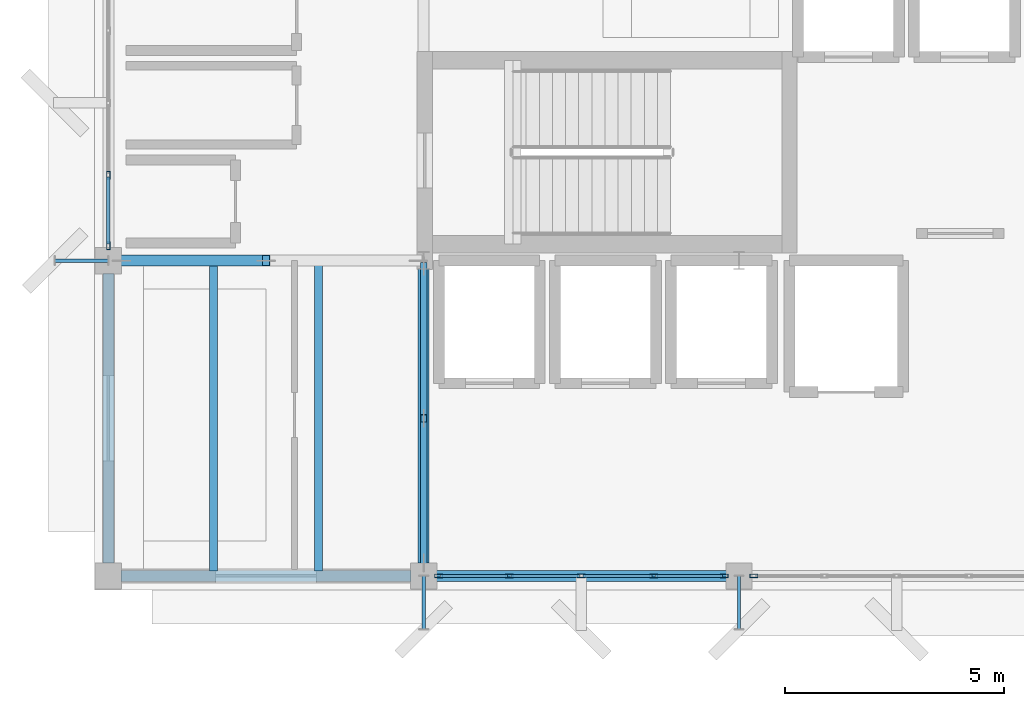
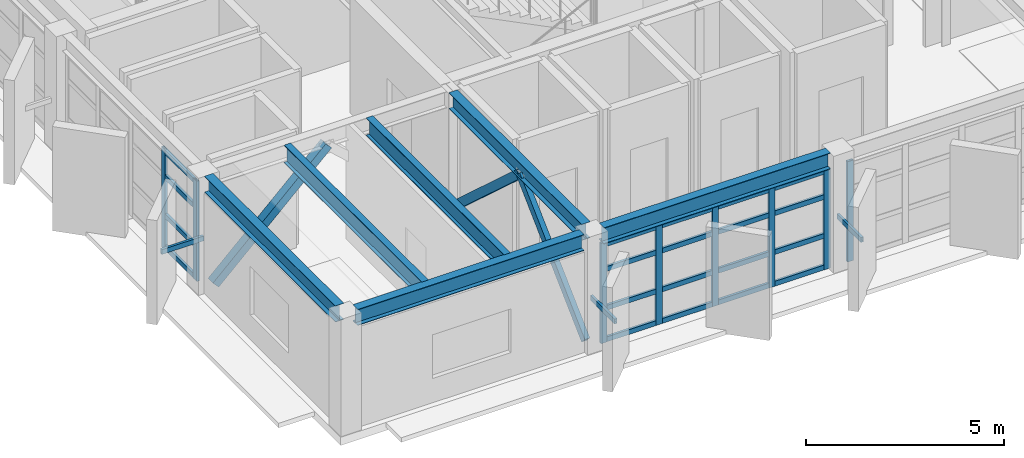
# One storey, part 3 of 19: 34 members, 6 beams, 3 elements without a shape of their own.
"""IFC4 building model written with IfcOpenShell, lengths in metres."""

import ifcopenshell
import ifcopenshell.guid

model = None  # the IFC model being written
_history = None  # IfcOwnerHistory: only IFC2X3 demands one
_inside = {}  # id of a spatial element -> (the spatial element, [elements in it])
_under = {}  # id of a project, library or spatial element -> (it, [spatial elements below it])
_declared = {}  # id of a project -> (the project, [libraries it declares])
_typed = {}  # id of a type object -> (the type object, [elements of that type])
_made_of = {}  # id of a material, layer set ... -> (it, [elements and type objects made of it])


def new_model(schema):
    """Start an empty IFC model of exactly this schema.

    Asked for "IFC4X3", IfcOpenShell would pick the latest addendum, in which some entities
    have other attributes; the version numbers below select the first issue.
    IFC2X3 requires an IfcOwnerHistory on every rooted entity: one is made here for all.
    """
    global model, _history
    if schema == "IFC4X3":
        model = ifcopenshell.file(schema_version=(4, 3, 0, 0))
    else:
        model = ifcopenshell.file(schema=schema)
    _inside.clear()
    _under.clear()
    _declared.clear()
    _typed.clear()
    _made_of.clear()
    _history = None
    if model.schema == "IFC2X3":
        org = make("IfcOrganization", Name="unknown")
        user = make(
            "IfcPersonAndOrganization",
            ThePerson=make("IfcPerson", FamilyName="unknown"),
            TheOrganization=org,
        )
        app = make(
            "IfcApplication",
            ApplicationDeveloper=org,
            Version="unknown",
            ApplicationFullName="unknown",
            ApplicationIdentifier="unknown",
        )
        _history = make(
            "IfcOwnerHistory",
            OwningUser=user,
            OwningApplication=app,
            ChangeAction="ADDED",
            CreationDate=0,
        )
    return model


def make(cls, **values):
    """One entity of the class cls with the attributes given. An attribute that is None is left unset."""
    return model.create_entity(
        cls, **{name: value for name, value in values.items() if value is not None}
    )


def rooted(cls, **values):
    """An entity with a GlobalId (a new one), such as an element, a storey or a relation."""
    return make(cls, GlobalId=ifcopenshell.guid.new(), OwnerHistory=_history, **values)


def si_unit(unit_type, name, prefix=None):
    """IfcSIUnit, for example si_unit("LENGTHUNIT", "METRE", prefix="MILLI")."""
    return make("IfcSIUnit", UnitType=unit_type, Prefix=prefix, Name=name)


def assignment(units):
    """IfcUnitAssignment: the units of a project."""
    return None if units is None else make("IfcUnitAssignment", Units=units)


def point(xyz):
    """IfcCartesianPoint."""
    return None if xyz is None else make("IfcCartesianPoint", Coordinates=xyz)


def direction(xyz):
    """IfcDirection."""
    return None if xyz is None else make("IfcDirection", DirectionRatios=xyz)


def frame(location, z_axis=None, x_axis=None):
    """IfcAxis2Placement3D, a coordinate frame: its origin and axes. An axis left out is left unset."""
    return make(
        "IfcAxis2Placement3D",
        Location=point(location),
        Axis=direction(z_axis),
        RefDirection=direction(x_axis),
    )


def frame_2d(location, x_axis=None):
    """IfcAxis2Placement2D, a coordinate frame in the plane: its origin and x axis."""
    return make(
        "IfcAxis2Placement2D", Location=point(location), RefDirection=direction(x_axis)
    )


def origin():
    """The frame at (0, 0, 0) with its axes left unset."""
    return frame((0.0, 0.0, 0.0))


def origin_2d():
    """The frame at (0, 0) in the plane with its x axis left unset."""
    return frame_2d((0.0, 0.0))


def place(relative_to, where):
    """IfcLocalPlacement: puts the frame where relative to a parent placement (None: the world)."""
    return make(
        "IfcLocalPlacement", PlacementRelTo=relative_to, RelativePlacement=where
    )


def context(
    kind, dimensions, precision=None, world=None, true_north=None, identifier=None
):
    """IfcGeometricRepresentationContext, for example the 3D "Model" context."""
    return make(
        "IfcGeometricRepresentationContext",
        ContextIdentifier=identifier,
        ContextType=kind,
        CoordinateSpaceDimension=dimensions,
        Precision=precision,
        WorldCoordinateSystem=world,
        TrueNorth=true_north,
    )


def subcontext(parent, identifier, kind, view, scale=None):
    """IfcGeometricRepresentationSubContext, for example "Body" below "Model"."""
    return make(
        "IfcGeometricRepresentationSubContext",
        ContextIdentifier=identifier,
        ContextType=kind,
        ParentContext=parent,
        TargetScale=scale,
        TargetView=view,
    )


def project(units=None, contexts=None):
    """IfcProject with its units and contexts."""
    return rooted(
        "IfcProject",
        Name="project",
        RepresentationContexts=contexts,
        UnitsInContext=assignment(units),
    )


def spatial(cls, under=None, at=None, **own):
    """A site, building, storey or space (cls), placed at a placement, below another one or the project."""
    s = rooted(cls, ObjectPlacement=at, **own)
    if under is not None:
        _under.setdefault(under.id(), (under, []))[1].append(s)
    return s


def profile(cls, at=None, kind="AREA", **sizes):
    """A parametric profile (cls). Its sizes go by their IFC names, for example OverallWidth=200.0."""
    return make(cls, ProfileType=kind, Position=at, **sizes)


def hollow_rectangle(**sizes):
    """IfcRectangleHollowProfileDef."""
    return profile("IfcRectangleHollowProfileDef", **sizes)


def i_section(**sizes):
    """IfcIShapeProfileDef."""
    return profile("IfcIShapeProfileDef", **sizes)


def extrude(swept, where, along, depth):
    """IfcExtrudedAreaSolid: the profile swept, set in the frame where, extruded along a direction by depth."""
    return make(
        "IfcExtrudedAreaSolid",
        SweptArea=swept,
        Position=where,
        ExtrudedDirection=direction(along),
        Depth=depth,
    )


def shape(context_of_items, identifier, shape_type, items):
    """IfcShapeRepresentation: the items that make up one representation, for example the "Body"."""
    return make(
        "IfcShapeRepresentation",
        ContextOfItems=context_of_items,
        RepresentationIdentifier=identifier,
        RepresentationType=shape_type,
        Items=items,
    )


def material(Name=None, Category=None):
    """IfcMaterial."""
    return make("IfcMaterial", Name=Name, Category=Category)


def layer(
    of_material, thickness, ventilated=None, Name=None, Category=None, Priority=None
):
    """IfcMaterialLayer: one layer of a wall or slab, of a material (None: an air gap)."""
    return make(
        "IfcMaterialLayer",
        Material=of_material,
        LayerThickness=thickness,
        IsVentilated=ventilated,
        Name=Name,
        Category=Category,
        Priority=Priority,
    )


def layer_set(layers, Name=None):
    """IfcMaterialLayerSet."""
    return make("IfcMaterialLayerSet", MaterialLayers=layers, LayerSetName=Name)


def material_profile(
    of_material, cross_section, Name=None, Category=None, Priority=None
):
    """IfcMaterialProfile: a cross section and its material."""
    return make(
        "IfcMaterialProfile",
        Name=Name,
        Material=of_material,
        Profile=cross_section,
        Priority=Priority,
        Category=Category,
    )


def profile_set(profiles, Name=None, composite=None):
    """IfcMaterialProfileSet."""
    return make(
        "IfcMaterialProfileSet",
        Name=Name,
        MaterialProfiles=profiles,
        CompositeProfile=composite,
    )


def made_of(thing, what):
    """Note that an element or type object is made of a material, layer set ...; save() writes the relation."""
    if what is not None:
        _made_of.setdefault(what.id(), (what, []))[1].append(thing)
    return thing


def type_object(cls, material=None, **own):
    """A type object (cls), such as IfcWallType, which elements share."""
    return made_of(rooted(cls, **own), material)


def element(
    cls,
    number,
    at=None,
    inside=None,
    cuts=None,
    type_object=None,
    material=None,
    context=None,
    identifier="Body",
    shape_type=None,
    held_by="IfcProductDefinitionShape",
    body=None,
    shapes=None,
    **own,
):
    """One element of the class cls, such as IfcWall. Its Tag is "e" and its number.

    at: its placement. inside: the storey or other place that contains it. cuts: it is an
    opening in that element (IfcRelVoidsElement). A single representation is given by context,
    identifier, shape_type and body (its items); several are given by shapes. held_by: the class
    of the entity that holds the representations. save() writes the other relations.
    """
    e = rooted(cls, Tag="e%d" % number, ObjectPlacement=at, **own)
    if body is not None:
        shapes = [shape(context, identifier, shape_type, body)]
    if shapes is not None:
        e.Representation = make(held_by, Representations=shapes)
    if inside is not None:
        _inside.setdefault(inside.id(), (inside, []))[1].append(e)
    if cuts is not None:
        rooted(
            "IfcRelVoidsElement", RelatingBuildingElement=cuts, RelatedOpeningElement=e
        )
    if type_object is not None:
        _typed.setdefault(type_object.id(), (type_object, []))[1].append(e)
    return made_of(e, material)


def aggregate(whole, parts):
    """IfcRelAggregates: a whole, such as a stair, and the parts it consists of."""
    return rooted("IfcRelAggregates", RelatingObject=whole, RelatedObjects=parts)


def save(model, path):
    """Write the relations noted so far, then the file.

    IfcRelAggregates (storeys below a building ...), IfcRelContainedInSpatialStructure (elements
    in a storey), IfcRelDefinesByType, IfcRelAssociatesMaterial and IfcRelDeclares: one each for
    every whole, place, type object, material and project.
    """
    for whole, parts in _under.values():
        aggregate(whole, parts)
    for where, things in _inside.values():
        rooted(
            "IfcRelContainedInSpatialStructure",
            RelatedElements=things,
            RelatingStructure=where,
        )
    for kind, things in _typed.values():
        rooted("IfcRelDefinesByType", RelatedObjects=things, RelatingType=kind)
    for what, things in _made_of.values():
        rooted("IfcRelAssociatesMaterial", RelatedObjects=things, RelatingMaterial=what)
    for by, libraries in _declared.values():
        rooted("IfcRelDeclares", RelatingContext=by, RelatedDefinitions=libraries)
    model.write(path)


model = new_model("IFC4")

# Units and contexts
model_context = context("Model", 3, precision=1e-05, world=origin(), true_north=direction((0.0, 1.0)))
body_context = subcontext(model_context, "Body", "Model", "MODEL_VIEW")
ifc_project = project(units=[si_unit("LENGTHUNIT", "METRE"), si_unit("AREAUNIT", "SQUARE_METRE"), si_unit("VOLUMEUNIT", "CUBIC_METRE"), si_unit("PLANEANGLEUNIT", "RADIAN"), si_unit("MASSUNIT", "GRAM", prefix="KILO")], contexts=[model_context])

# Site, building, storey
site_placement = place(None, origin())
site = spatial("IfcSite", under=ifc_project, at=site_placement, CompositionType="ELEMENT")
building_placement = place(site_placement, origin())
building = spatial("IfcBuilding", under=site, at=building_placement, Name="Kandorven Conservatory and Botanical Research Centre", CompositionType="ELEMENT")
storey_placement = place(building_placement, frame((0.0, 0.0, 28.800048828125)))
storey = spatial("IfcBuildingStorey", under=building, at=storey_placement, Name="L07", CompositionType="ELEMENT", Elevation=28.800048828125)

# Beams
ifc_material_1 = material(Name="Steel S355 (IS 2062 E350)", Category="steel")
ifc_material_profile_1 = material_profile(ifc_material_1, i_section(OverallWidth=0.25, OverallDepth=0.5, WebThickness=0.010009765625, FlangeThickness=0.0146484375, at=origin_2d()))
ifc_profile_set_1 = profile_set([ifc_material_profile_1], Name="Steel S355 (IS 2062 E350)")
beam_type_1 = type_object("IfcBeamType", Name="Beam_FG-02", PredefinedType="USERDEFINED", material=ifc_profile_set_1)
beam_1_placement = place(storey_placement, frame((6.2900390625, 6.0, 3.369873046875), z_axis=(1.0, 0.0, 0.0), x_axis=(0.0, 1.0, 0.0)))
element("IfcBeam", 1, at=beam_1_placement, inside=storey, type_object=beam_type_1, Name="Primary girder FG-02 TWR L07", ObjectType="GIRDER", PredefinedType="USERDEFINED", context=body_context, shape_type="SweptSolid", body=[
    extrude(i_section(OverallWidth=0.25, OverallDepth=0.5, WebThickness=0.010009765625, FlangeThickness=0.0146484375, at=origin_2d()), origin(), (0.0, 0.0, 1.0), 6.619873046875),
])
beam_2_placement = place(storey_placement, frame((13.489990234375, 6.0, 3.369873046875), z_axis=(1.0, 0.0, 0.0), x_axis=(0.0, 1.0, 0.0)))
element("IfcBeam", 2, at=beam_2_placement, inside=storey, type_object=beam_type_1, Name="Primary girder FG-02 TWR L07", ObjectType="GIRDER", PredefinedType="USERDEFINED", context=body_context, shape_type="SweptSolid", body=[
    extrude(i_section(OverallWidth=0.25, OverallDepth=0.5, WebThickness=0.010009765625, FlangeThickness=0.0146484375, at=origin_2d()), origin(), (0.0, 0.0, 1.0), 6.6201171875),
])
beam_3_placement = place(storey_placement, frame((6.0, 6.2900390625, 3.369873046875), z_axis=(0.0, 1.0, 0.0), x_axis=(-1.0, 0.0, 0.0)))
element("IfcBeam", 3, at=beam_3_placement, inside=storey, type_object=beam_type_1, Name="Primary girder FG-02 TWR L07", ObjectType="GIRDER", PredefinedType="USERDEFINED", context=body_context, shape_type="SweptSolid", body=[
    extrude(i_section(OverallWidth=0.25, OverallDepth=0.5, WebThickness=0.010009765625, FlangeThickness=0.0146484375, at=origin_2d()), origin(), (0.0, 0.0, 1.0), 6.619873046875),
])
beam_4_placement = place(storey_placement, frame((13.199951171875, 6.2900390625, 3.369873046875), z_axis=(0.0, 1.0, 0.0), x_axis=(-1.0, 0.0, 0.0)))
element("IfcBeam", 4, at=beam_4_placement, inside=storey, type_object=beam_type_1, Name="Primary girder FG-02 TWR L07", ObjectType="GIRDER", PredefinedType="USERDEFINED", context=body_context, shape_type="SweptSolid", body=[
    extrude(i_section(OverallWidth=0.25, OverallDepth=0.5, WebThickness=0.010009765625, FlangeThickness=0.0146484375, at=origin_2d()), origin(), (0.0, 0.0, 1.0), 6.719970703125),
])
ifc_material_2 = material(Name="Steel S355 (IS 2062 E350)", Category="steel")
ifc_material_profile_2 = material_profile(ifc_material_2, i_section(OverallWidth=0.18994140625, OverallDepth=0.550048828125, WebThickness=0.01123046875, FlangeThickness=0.019287109375, at=origin_2d()))
ifc_profile_set_2 = profile_set([ifc_material_profile_2], Name="Steel S355 (IS 2062 E350)")
beam_type_2 = type_object("IfcBeamType", Name="Beam_SB-02", PredefinedType="BEAM", material=ifc_profile_set_2)
for number, where, z_axis, x_axis, name in (
    (5, (8.39990234375, 6.110107421875, 3.344970703125), (0.0, 1.0, 0.0), (-1.0, 0.0, 0.0), "Composite secondary beam SB-02 TWR L07"),
    (6, (10.800048828125, 6.110107421875, 3.344970703125), (0.0, 1.0, 0.0), (-1.0, 0.0, 0.0), "Composite secondary beam SB-02 TWR L07"),
):
    element("IfcBeam", number, at=place(storey_placement, frame(where, z_axis=z_axis, x_axis=x_axis)), inside=storey, type_object=beam_type_2, Name=name, PredefinedType="BEAM", context=body_context, shape_type="SweptSolid", body=[
        extrude(i_section(OverallWidth=0.18994140625, OverallDepth=0.550048828125, WebThickness=0.01123046875, FlangeThickness=0.019287109375, at=origin_2d()), origin(), (0.0, 0.0, 1.0), 6.97998046875),
    ])

# Curtain wall, members
ifc_material_3 = material(Name="Bronze anodised thermally broken aluminium", Category="aluminium")
ifc_layer = layer(ifc_material_3, 0.179931640625)
ifc_layer_set = layer_set([ifc_layer], Name="Bronze anodised thermally broken aluminium")
curtain_wall_type = type_object("IfcCurtainWallType", Name="CW_Unitised", PredefinedType="USERDEFINED", material=ifc_layer_set)
curtain_wall_1_placement = place(storey_placement, origin())
curtain_wall_1 = element("IfcCurtainWall", 7, at=curtain_wall_1_placement, inside=storey, type_object=curtain_wall_type, Name="Tower laboratory curtain wall CW-TWR-S-L07-2", ObjectType="UNITISED GLAZING", PredefinedType="USERDEFINED")
ifc_material_4 = material(Name="Bronze anodised thermally broken aluminium", Category="aluminium")
ifc_material_profile_3 = material_profile(ifc_material_4, hollow_rectangle(XDim=0.080078125, YDim=0.179931640625, WallThickness=0.006103515625, at=origin_2d()))
ifc_profile_set_3 = profile_set([ifc_material_profile_3], Name="Bronze anodised thermally broken aluminium")
member_type_1 = type_object("IfcMemberType", Name="CW_Mullion", PredefinedType="MULLION", material=ifc_profile_set_3)
member_1_placement = place(storey_placement, frame((13.5400390625, 6.0, 0.0), z_axis=(0.0, 0.0, 1.0), x_axis=(0.0, 1.0, 0.0)))
member_1 = element("IfcMember", 8, at=member_1_placement, type_object=member_type_1, Name="CW-01 mullion 1", PredefinedType="MULLION", context=body_context, shape_type="SweptSolid", body=[
    extrude(hollow_rectangle(XDim=0.080078125, YDim=0.179931640625, WallThickness=0.006103515625, at=origin_2d()), origin(), (0.0, 0.0, 1.0), 3.099853515625),
])
member_2_placement = place(storey_placement, frame((15.14990234375, 6.0, 0.0), z_axis=(0.0, 0.0, 1.0), x_axis=(0.0, 1.0, 0.0)))
member_2 = element("IfcMember", 9, at=member_2_placement, type_object=member_type_1, Name="CW-01 mullion 2", PredefinedType="MULLION", context=body_context, shape_type="SweptSolid", body=[
    extrude(hollow_rectangle(XDim=0.080078125, YDim=0.179931640625, WallThickness=0.006103515625, at=origin_2d()), origin(), (0.0, 0.0, 1.0), 3.099853515625),
])
member_3_placement = place(storey_placement, frame((16.800048828125, 6.0, 0.0), z_axis=(0.0, 0.0, 1.0), x_axis=(0.0, 1.0, 0.0)))
member_3 = element("IfcMember", 10, at=member_3_placement, type_object=member_type_1, Name="CW-01 mullion 3", PredefinedType="MULLION", context=body_context, shape_type="SweptSolid", body=[
    extrude(hollow_rectangle(XDim=0.080078125, YDim=0.179931640625, WallThickness=0.006103515625, at=origin_2d()), origin(), (0.0, 0.0, 1.0), 3.099853515625),
])
member_4_placement = place(storey_placement, frame((18.449951171875, 6.0, 0.0), z_axis=(0.0, 0.0, 1.0), x_axis=(0.0, 1.0, 0.0)))
member_4 = element("IfcMember", 11, at=member_4_placement, type_object=member_type_1, Name="CW-01 mullion 4", PredefinedType="MULLION", context=body_context, shape_type="SweptSolid", body=[
    extrude(hollow_rectangle(XDim=0.080078125, YDim=0.179931640625, WallThickness=0.006103515625, at=origin_2d()), origin(), (0.0, 0.0, 1.0), 3.099853515625),
])
member_5_placement = place(storey_placement, frame((20.06005859375, 6.0, 0.0), z_axis=(0.0, 0.0, 1.0), x_axis=(0.0, 1.0, 0.0)))
member_5 = element("IfcMember", 12, at=member_5_placement, type_object=member_type_1, Name="CW-01 mullion 5", PredefinedType="MULLION", context=body_context, shape_type="SweptSolid", body=[
    extrude(hollow_rectangle(XDim=0.080078125, YDim=0.179931640625, WallThickness=0.006103515625, at=origin_2d()), origin(), (0.0, 0.0, 1.0), 3.099853515625),
])

# Curtain wall, member
curtain_wall_2_placement = place(storey_placement, origin())
curtain_wall_2 = element("IfcCurtainWall", 13, at=curtain_wall_2_placement, inside=storey, type_object=curtain_wall_type, Name="Tower laboratory curtain wall CW-TWR-S-L07-3", ObjectType="UNITISED GLAZING", PredefinedType="USERDEFINED")
member_6_placement = place(storey_placement, frame((20.739990234375, 6.0, 0.0), z_axis=(0.0, 0.0, 1.0), x_axis=(0.0, 1.0, 0.0)))
member_6 = element("IfcMember", 14, at=member_6_placement, type_object=member_type_1, Name="CW-01 mullion 1", PredefinedType="MULLION", context=body_context, shape_type="SweptSolid", body=[
    extrude(hollow_rectangle(XDim=0.080078125, YDim=0.179931640625, WallThickness=0.006103515625, at=origin_2d()), origin(), (0.0, 0.0, 1.0), 3.099853515625),
])
aggregate(curtain_wall_2, [member_6])

# Curtain wall, members
curtain_wall_3_placement = place(storey_placement, origin())
curtain_wall_3 = element("IfcCurtainWall", 15, at=curtain_wall_3_placement, inside=storey, type_object=curtain_wall_type, Name="Tower laboratory curtain wall CW-TWR-W-L07-2", ObjectType="UNITISED GLAZING", PredefinedType="USERDEFINED")
member_7_placement = place(storey_placement, frame((6.0, 13.5400390625, 0.0), z_axis=(0.0, 0.0, 1.0), x_axis=(-1.0, 0.0, 0.0)))
member_7 = element("IfcMember", 16, at=member_7_placement, type_object=member_type_1, Name="CW-01 mullion 1", PredefinedType="MULLION", context=body_context, shape_type="SweptSolid", body=[
    extrude(hollow_rectangle(XDim=0.080078125, YDim=0.179931640625, WallThickness=0.006103515625, at=origin_2d()), origin(), (0.0, 0.0, 1.0), 3.099853515625),
])
member_8_placement = place(storey_placement, frame((6.0, 15.14990234375, 0.0), z_axis=(0.0, 0.0, 1.0), x_axis=(-1.0, 0.0, 0.0)))
member_8 = element("IfcMember", 17, at=member_8_placement, type_object=member_type_1, Name="CW-01 mullion 2", PredefinedType="MULLION", context=body_context, shape_type="SweptSolid", body=[
    extrude(hollow_rectangle(XDim=0.080078125, YDim=0.179931640625, WallThickness=0.006103515625, at=origin_2d()), origin(), (0.0, 0.0, 1.0), 3.099853515625),
])

# Member
ifc_material_5 = material(Name="Bronze anodised thermally broken aluminium", Category="aluminium")
ifc_material_profile_4 = material_profile(ifc_material_5, hollow_rectangle(XDim=0.074951171875, YDim=0.14990234375, WallThickness=0.006103515625, at=origin_2d()))
ifc_profile_set_4 = profile_set([ifc_material_profile_4], Name="Bronze anodised thermally broken aluminium")
member_type_2 = type_object("IfcMemberType", Name="CW_Transom", PredefinedType="USERDEFINED", material=ifc_profile_set_4)
member_9_placement = place(storey_placement, frame((13.580078125, 6.0, 0.074951171875), z_axis=(1.0, 0.0, 0.0), x_axis=(0.0, 1.0, 0.0)))
member_9 = element("IfcMember", 18, at=member_9_placement, type_object=member_type_2, Name="CW-01 transom 1.1", ObjectType="TRANSOM", PredefinedType="USERDEFINED", context=body_context, shape_type="SweptSolid", body=[
    extrude(hollow_rectangle(XDim=0.074951171875, YDim=0.14990234375, WallThickness=0.006103515625, at=origin_2d()), origin(), (0.0, 0.0, 1.0), 1.530029296875),
])

member_10_placement = place(storey_placement, frame((13.580078125, 6.0, 1.050048828125), z_axis=(1.0, 0.0, 0.0), x_axis=(0.0, 1.0, 0.0)))
member_10 = element("IfcMember", 19, at=member_10_placement, type_object=member_type_2, Name="CW-01 transom 1.2", ObjectType="TRANSOM", PredefinedType="USERDEFINED", context=body_context, shape_type="SweptSolid", body=[
    extrude(hollow_rectangle(XDim=0.074951171875, YDim=0.14990234375, WallThickness=0.006103515625, at=origin_2d()), origin(), (0.0, 0.0, 1.0), 1.530029296875),
])

member_11_placement = place(storey_placement, frame((13.580078125, 6.0, 2.25), z_axis=(1.0, 0.0, 0.0), x_axis=(0.0, 1.0, 0.0)))
member_11 = element("IfcMember", 20, at=member_11_placement, type_object=member_type_2, Name="CW-01 transom 1.3", ObjectType="TRANSOM", PredefinedType="USERDEFINED", context=body_context, shape_type="SweptSolid", body=[
    extrude(hollow_rectangle(XDim=0.074951171875, YDim=0.14990234375, WallThickness=0.006103515625, at=origin_2d()), origin(), (0.0, 0.0, 1.0), 1.530029296875),
])

member_12_placement = place(storey_placement, frame((13.580078125, 6.0, 3.02490234375), z_axis=(1.0, 0.0, 0.0), x_axis=(0.0, 1.0, 0.0)))
member_12 = element("IfcMember", 21, at=member_12_placement, type_object=member_type_2, Name="CW-01 transom 1.4", ObjectType="TRANSOM", PredefinedType="USERDEFINED", context=body_context, shape_type="SweptSolid", body=[
    extrude(hollow_rectangle(XDim=0.074951171875, YDim=0.14990234375, WallThickness=0.006103515625, at=origin_2d()), origin(), (0.0, 0.0, 1.0), 1.530029296875),
])

member_13_placement = place(storey_placement, frame((15.18994140625, 6.0, 0.074951171875), z_axis=(1.0, 0.0, 0.0), x_axis=(0.0, 1.0, 0.0)))
member_13 = element("IfcMember", 22, at=member_13_placement, type_object=member_type_2, Name="CW-01 transom 2.1", ObjectType="TRANSOM", PredefinedType="USERDEFINED", context=body_context, shape_type="SweptSolid", body=[
    extrude(hollow_rectangle(XDim=0.074951171875, YDim=0.14990234375, WallThickness=0.006103515625, at=origin_2d()), origin(), (0.0, 0.0, 1.0), 1.570068359375),
])

member_14_placement = place(storey_placement, frame((15.18994140625, 6.0, 1.050048828125), z_axis=(1.0, 0.0, 0.0), x_axis=(0.0, 1.0, 0.0)))
member_14 = element("IfcMember", 23, at=member_14_placement, type_object=member_type_2, Name="CW-01 transom 2.2", ObjectType="TRANSOM", PredefinedType="USERDEFINED", context=body_context, shape_type="SweptSolid", body=[
    extrude(hollow_rectangle(XDim=0.074951171875, YDim=0.14990234375, WallThickness=0.006103515625, at=origin_2d()), origin(), (0.0, 0.0, 1.0), 1.570068359375),
])

member_15_placement = place(storey_placement, frame((15.18994140625, 6.0, 2.25), z_axis=(1.0, 0.0, 0.0), x_axis=(0.0, 1.0, 0.0)))
member_15 = element("IfcMember", 24, at=member_15_placement, type_object=member_type_2, Name="CW-01 transom 2.3", ObjectType="TRANSOM", PredefinedType="USERDEFINED", context=body_context, shape_type="SweptSolid", body=[
    extrude(hollow_rectangle(XDim=0.074951171875, YDim=0.14990234375, WallThickness=0.006103515625, at=origin_2d()), origin(), (0.0, 0.0, 1.0), 1.570068359375),
])

member_16_placement = place(storey_placement, frame((15.18994140625, 6.0, 3.02490234375), z_axis=(1.0, 0.0, 0.0), x_axis=(0.0, 1.0, 0.0)))
member_16 = element("IfcMember", 25, at=member_16_placement, type_object=member_type_2, Name="CW-01 transom 2.4", ObjectType="TRANSOM", PredefinedType="USERDEFINED", context=body_context, shape_type="SweptSolid", body=[
    extrude(hollow_rectangle(XDim=0.074951171875, YDim=0.14990234375, WallThickness=0.006103515625, at=origin_2d()), origin(), (0.0, 0.0, 1.0), 1.570068359375),
])

member_17_placement = place(storey_placement, frame((16.840087890625, 6.0, 0.074951171875), z_axis=(1.0, 0.0, 0.0), x_axis=(0.0, 1.0, 0.0)))
member_17 = element("IfcMember", 26, at=member_17_placement, type_object=member_type_2, Name="CW-01 transom 3.1", ObjectType="TRANSOM", PredefinedType="USERDEFINED", context=body_context, shape_type="SweptSolid", body=[
    extrude(hollow_rectangle(XDim=0.074951171875, YDim=0.14990234375, WallThickness=0.006103515625, at=origin_2d()), origin(), (0.0, 0.0, 1.0), 1.56982421875),
])

member_18_placement = place(storey_placement, frame((16.840087890625, 6.0, 1.050048828125), z_axis=(1.0, 0.0, 0.0), x_axis=(0.0, 1.0, 0.0)))
member_18 = element("IfcMember", 27, at=member_18_placement, type_object=member_type_2, Name="CW-01 transom 3.2", ObjectType="TRANSOM", PredefinedType="USERDEFINED", context=body_context, shape_type="SweptSolid", body=[
    extrude(hollow_rectangle(XDim=0.074951171875, YDim=0.14990234375, WallThickness=0.006103515625, at=origin_2d()), origin(), (0.0, 0.0, 1.0), 1.56982421875),
])

member_19_placement = place(storey_placement, frame((16.840087890625, 6.0, 2.25), z_axis=(1.0, 0.0, 0.0), x_axis=(0.0, 1.0, 0.0)))
member_19 = element("IfcMember", 28, at=member_19_placement, type_object=member_type_2, Name="CW-01 transom 3.3", ObjectType="TRANSOM", PredefinedType="USERDEFINED", context=body_context, shape_type="SweptSolid", body=[
    extrude(hollow_rectangle(XDim=0.074951171875, YDim=0.14990234375, WallThickness=0.006103515625, at=origin_2d()), origin(), (0.0, 0.0, 1.0), 1.56982421875),
])

member_20_placement = place(storey_placement, frame((16.840087890625, 6.0, 3.02490234375), z_axis=(1.0, 0.0, 0.0), x_axis=(0.0, 1.0, 0.0)))
member_20 = element("IfcMember", 29, at=member_20_placement, type_object=member_type_2, Name="CW-01 transom 3.4", ObjectType="TRANSOM", PredefinedType="USERDEFINED", context=body_context, shape_type="SweptSolid", body=[
    extrude(hollow_rectangle(XDim=0.074951171875, YDim=0.14990234375, WallThickness=0.006103515625, at=origin_2d()), origin(), (0.0, 0.0, 1.0), 1.56982421875),
])

member_21_placement = place(storey_placement, frame((18.489990234375, 6.0, 0.074951171875), z_axis=(1.0, 0.0, 0.0), x_axis=(0.0, 1.0, 0.0)))
member_21 = element("IfcMember", 30, at=member_21_placement, type_object=member_type_2, Name="CW-01 transom 4.1", ObjectType="TRANSOM", PredefinedType="USERDEFINED", context=body_context, shape_type="SweptSolid", body=[
    extrude(hollow_rectangle(XDim=0.074951171875, YDim=0.14990234375, WallThickness=0.006103515625, at=origin_2d()), origin(), (0.0, 0.0, 1.0), 1.530029296875),
])

member_22_placement = place(storey_placement, frame((18.489990234375, 6.0, 1.050048828125), z_axis=(1.0, 0.0, 0.0), x_axis=(0.0, 1.0, 0.0)))
member_22 = element("IfcMember", 31, at=member_22_placement, type_object=member_type_2, Name="CW-01 transom 4.2", ObjectType="TRANSOM", PredefinedType="USERDEFINED", context=body_context, shape_type="SweptSolid", body=[
    extrude(hollow_rectangle(XDim=0.074951171875, YDim=0.14990234375, WallThickness=0.006103515625, at=origin_2d()), origin(), (0.0, 0.0, 1.0), 1.530029296875),
])

member_23_placement = place(storey_placement, frame((18.489990234375, 6.0, 2.25), z_axis=(1.0, 0.0, 0.0), x_axis=(0.0, 1.0, 0.0)))
member_23 = element("IfcMember", 32, at=member_23_placement, type_object=member_type_2, Name="CW-01 transom 4.3", ObjectType="TRANSOM", PredefinedType="USERDEFINED", context=body_context, shape_type="SweptSolid", body=[
    extrude(hollow_rectangle(XDim=0.074951171875, YDim=0.14990234375, WallThickness=0.006103515625, at=origin_2d()), origin(), (0.0, 0.0, 1.0), 1.530029296875),
])

member_24_placement = place(storey_placement, frame((18.489990234375, 6.0, 3.02490234375), z_axis=(1.0, 0.0, 0.0), x_axis=(0.0, 1.0, 0.0)))
member_24 = element("IfcMember", 33, at=member_24_placement, type_object=member_type_2, Name="CW-01 transom 4.4", ObjectType="TRANSOM", PredefinedType="USERDEFINED", context=body_context, shape_type="SweptSolid", body=[
    extrude(hollow_rectangle(XDim=0.074951171875, YDim=0.14990234375, WallThickness=0.006103515625, at=origin_2d()), origin(), (0.0, 0.0, 1.0), 1.530029296875),
])

aggregate(curtain_wall_1, [member_1, member_2, member_3, member_4, member_5, member_9, member_10, member_11, member_12, member_13, member_14, member_15, member_16, member_17, member_18, member_19, member_20, member_21, member_22, member_23, member_24])

member_25_placement = place(storey_placement, frame((6.0, 13.580078125, 0.074951171875), z_axis=(0.0, 1.0, 0.0), x_axis=(-1.0, 0.0, 0.0)))
member_25 = element("IfcMember", 34, at=member_25_placement, type_object=member_type_2, Name="CW-01 transom 1.1", ObjectType="TRANSOM", PredefinedType="USERDEFINED", context=body_context, shape_type="SweptSolid", body=[
    extrude(hollow_rectangle(XDim=0.074951171875, YDim=0.14990234375, WallThickness=0.006103515625, at=origin_2d()), origin(), (0.0, 0.0, 1.0), 1.530029296875),
])

member_26_placement = place(storey_placement, frame((6.0, 13.580078125, 1.050048828125), z_axis=(0.0, 1.0, 0.0), x_axis=(-1.0, 0.0, 0.0)))
member_26 = element("IfcMember", 35, at=member_26_placement, type_object=member_type_2, Name="CW-01 transom 1.2", ObjectType="TRANSOM", PredefinedType="USERDEFINED", context=body_context, shape_type="SweptSolid", body=[
    extrude(hollow_rectangle(XDim=0.074951171875, YDim=0.14990234375, WallThickness=0.006103515625, at=origin_2d()), origin(), (0.0, 0.0, 1.0), 1.530029296875),
])

member_27_placement = place(storey_placement, frame((6.0, 13.580078125, 2.25), z_axis=(0.0, 1.0, 0.0), x_axis=(-1.0, 0.0, 0.0)))
member_27 = element("IfcMember", 36, at=member_27_placement, type_object=member_type_2, Name="CW-01 transom 1.3", ObjectType="TRANSOM", PredefinedType="USERDEFINED", context=body_context, shape_type="SweptSolid", body=[
    extrude(hollow_rectangle(XDim=0.074951171875, YDim=0.14990234375, WallThickness=0.006103515625, at=origin_2d()), origin(), (0.0, 0.0, 1.0), 1.530029296875),
])

member_28_placement = place(storey_placement, frame((6.0, 13.580078125, 3.02490234375), z_axis=(0.0, 1.0, 0.0), x_axis=(-1.0, 0.0, 0.0)))
member_28 = element("IfcMember", 37, at=member_28_placement, type_object=member_type_2, Name="CW-01 transom 1.4", ObjectType="TRANSOM", PredefinedType="USERDEFINED", context=body_context, shape_type="SweptSolid", body=[
    extrude(hollow_rectangle(XDim=0.074951171875, YDim=0.14990234375, WallThickness=0.006103515625, at=origin_2d()), origin(), (0.0, 0.0, 1.0), 1.530029296875),
])

aggregate(curtain_wall_3, [member_7, member_8, member_25, member_26, member_27, member_28])

# Members
ifc_material_6 = material(Name="Steel S355 (IS 2062 E350)", Category="steel")
ifc_material_profile_5 = material_profile(ifc_material_6, hollow_rectangle(XDim=0.25, YDim=0.25, WallThickness=0.011962890625, at=origin_2d()))
ifc_profile_set_5 = profile_set([ifc_material_profile_5], Name="Steel S355 (IS 2062 E350)")
member_type_3 = type_object("IfcMemberType", Name="Mem_BR-02", PredefinedType="BRACE", material=ifc_profile_set_5)
member_29_placement = place(storey_placement, frame((6.300048828125, 13.199951171875, 0.0), z_axis=(0.723371338309, 0.0, 0.690459200035), x_axis=(0.0, 1.0, 0.0)))
element("IfcMember", 38, at=member_29_placement, inside=storey, type_object=member_type_3, Name="Tower lateral chevron brace BR-02 L07 W", PredefinedType="BRACE", context=body_context, shape_type="SweptSolid", body=[
    extrude(hollow_rectangle(XDim=0.25, YDim=0.25, WallThickness=0.011962890625, at=origin_2d()), origin(), (0.0, 0.0, 1.0), 4.56201171875),
])
ifc_material_7 = material(Name="Steel S355 (IS 2062 E350)", Category="steel")
ifc_material_profile_6 = material_profile(ifc_material_7, hollow_rectangle(XDim=0.14990234375, YDim=0.25, WallThickness=0.010009765625, at=origin_2d()))
ifc_profile_set_6 = profile_set([ifc_material_profile_6], Name="Steel S355 (IS 2062 E350)")
member_type_4 = type_object("IfcMemberType", Name="Mem_BR-04", PredefinedType="BRACE", material=ifc_profile_set_6)
member_30_placement = place(storey_placement, frame((13.199951171875, 6.300048828125, 0.0), z_axis=(0.0, 0.723371338309, 0.690459200035), x_axis=(-1.0, 0.0, 0.0)))
element("IfcMember", 39, at=member_30_placement, inside=storey, type_object=member_type_4, Name="Tower lateral chevron brace BR-04 L07 S", PredefinedType="BRACE", context=body_context, shape_type="SweptSolid", body=[
    extrude(hollow_rectangle(XDim=0.14990234375, YDim=0.25, WallThickness=0.010009765625, at=origin_2d()), origin(), (0.0, 0.0, 1.0), 4.56201171875),
])
member_31_placement = place(storey_placement, frame((13.199951171875, 13.074951171875, 0.0), z_axis=(0.0, -0.740900335623, 0.671614988422), x_axis=(1.0, 0.0, 0.0)))
element("IfcMember", 40, at=member_31_placement, inside=storey, type_object=member_type_4, Name="Tower lateral chevron brace BR-04 L07 N", PredefinedType="BRACE", context=body_context, shape_type="SweptSolid", body=[
    extrude(hollow_rectangle(XDim=0.14990234375, YDim=0.25, WallThickness=0.010009765625, at=origin_2d()), origin(), (0.0, 0.0, 1.0), 4.68994140625),
])
ifc_material_8 = material(Name="Steel S355 (IS 2062 E350)", Category="steel")
ifc_material_profile_7 = material_profile(ifc_material_8, hollow_rectangle(XDim=0.074951171875, YDim=0.14990234375, WallThickness=0.006103515625, at=origin_2d()))
ifc_profile_set_7 = profile_set([ifc_material_profile_7], Name="Steel S355 (IS 2062 E350)")
member_type_5 = type_object("IfcMemberType", Name="Mem_SF-01", PredefinedType="STRUT", material=ifc_profile_set_7)
for number, where, z_axis, x_axis, name in (
    (41, (13.199951171875, 6.0, 1.5), (0.0, -1.0, 0.0), (1.0, 0.0, 0.0), "Solar fin steel outrigger strut SF-01 #73"),
    (42, (20.39990234375, 6.0, 1.5), (0.0, -1.0, 0.0), (1.0, 0.0, 0.0), "Solar fin steel outrigger strut SF-01 #75"),
    (43, (6.0, 13.199951171875, 1.5), (-1.0, 0.0, 0.0), (0.0, -1.0, 0.0), "Solar fin steel outrigger strut SF-01 #77"),
):
    element("IfcMember", number, at=place(storey_placement, frame(where, z_axis=z_axis, x_axis=x_axis)), inside=storey, type_object=member_type_5, Name=name, PredefinedType="STRUT", context=body_context, shape_type="SweptSolid", body=[
        extrude(hollow_rectangle(XDim=0.074951171875, YDim=0.14990234375, WallThickness=0.006103515625, at=origin_2d()), origin(), (0.0, 0.0, 1.0), 1.219970703125),
    ])

save(model, "model.ifc")
